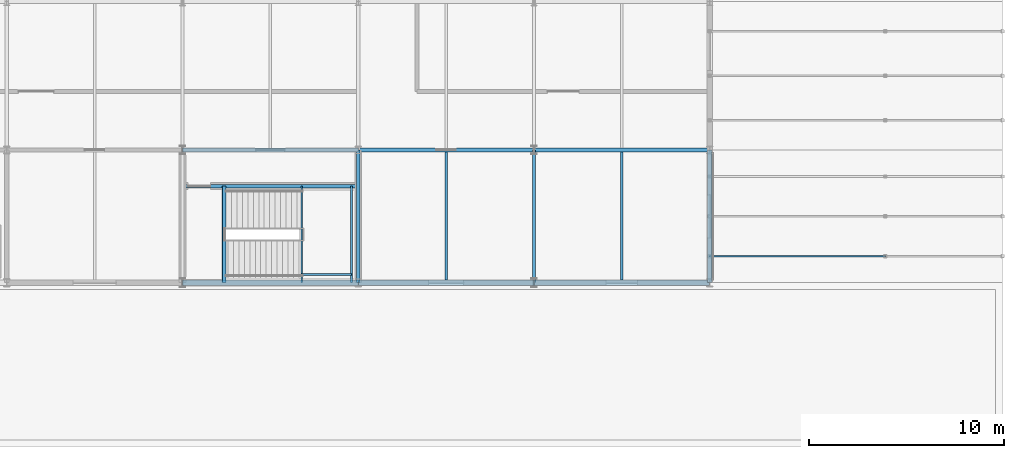
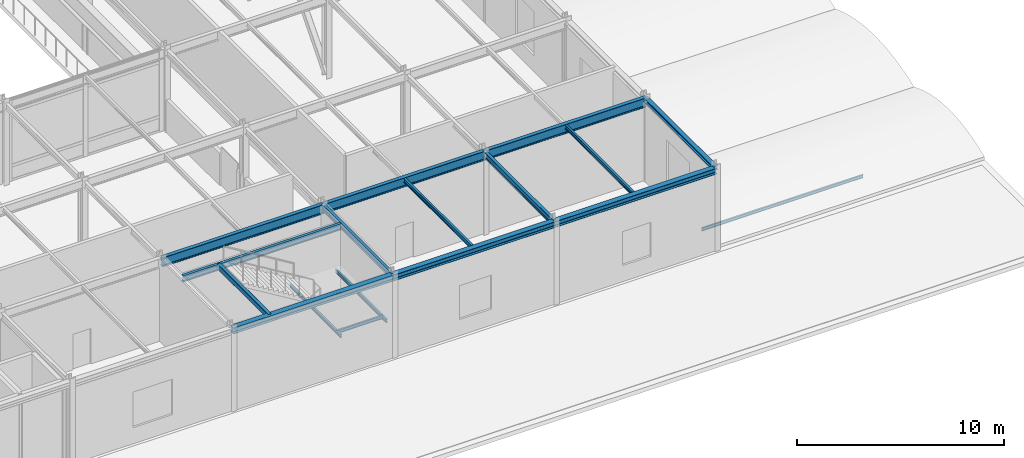
# One storey, part 53 of 113: 16 beams, 1 member.
"""IFC4 building model written with IfcOpenShell, lengths in metres."""

from ifc_helpers import new_model, si_unit, direction, frame, origin, origin_2d, place, context, subcontext, project, spatial, hollow_rectangle, i_section, extrude, material, material_profile, profile_set, type_object, element, save


model = new_model("IFC4")

# Units and contexts
model_context = context("Model", 3, precision=1e-05, world=origin(), true_north=direction((0.0, 1.0)))
body_context = subcontext(model_context, "Body", "Model", "MODEL_VIEW")
ifc_project = project(units=[si_unit("LENGTHUNIT", "METRE"), si_unit("AREAUNIT", "SQUARE_METRE"), si_unit("VOLUMEUNIT", "CUBIC_METRE"), si_unit("PLANEANGLEUNIT", "RADIAN"), si_unit("MASSUNIT", "GRAM", prefix="KILO")], contexts=[model_context])

# Site, building, storey
site_placement = place(None, origin())
site = spatial("IfcSite", under=ifc_project, at=site_placement, CompositionType="ELEMENT")
building_placement = place(site_placement, origin())
building = spatial("IfcBuilding", under=site, at=building_placement, Name="Shalkamar Park Central Library", CompositionType="ELEMENT")
storey_placement = place(building_placement, frame((0.0, 0.0, 5.39990234375)))
storey = spatial("IfcBuildingStorey", under=building, at=storey_placement, Name="L02", CompositionType="ELEMENT", Elevation=5.39990234375)

# Beams
ifc_material = material(Name="Steel S355", Category="steel")
ifc_material_profile_1 = material_profile(ifc_material, i_section(OverallWidth=0.10009765625, OverallDepth=0.199951171875, WebThickness=0.005615234375, FlangeThickness=0.008544921875, FilletRadius=0.011962890625, at=origin_2d()), Name="IPE 200")
ifc_profile_set_1 = profile_set([ifc_material_profile_1], Name="Steel S355")
beam_type_1 = type_object("IfcBeamType", Name="Composite Floor Joist IPE200", PredefinedType="JOIST", material=ifc_profile_set_1)
for number, where, z_axis, x_axis, name in (
    (1, (252.10498046875, 248.39990234375, 2.170166015625), (0.0, 1.0, 0.0), (-1.0, 0.0, 0.0), "Stair Half-Landing Beam ST-P3-L02-1"),
    (2, (254.64501953125, 248.39990234375, 2.170166015625), (0.0, 1.0, 0.0), (-1.0, 0.0, 0.0), "Stair Half-Landing Beam ST-P3-L02-2"),
):
    element("IfcBeam", number, at=place(storey_placement, frame(where, z_axis=z_axis, x_axis=x_axis)), inside=storey, type_object=beam_type_1, Name=name, PredefinedType="JOIST", context=body_context, shape_type="SweptSolid", body=[
        extrude(i_section(OverallWidth=0.10009765625, OverallDepth=0.199951171875, WebThickness=0.005615234375, FlangeThickness=0.008544921875, FilletRadius=0.011962890625, at=origin_2d()), origin(), (0.0, 0.0, 1.0), 4.9501953125),
    ])
beam_1_placement = place(storey_placement, frame((252.10498046875, 248.824951171875, 2.170166015625), z_axis=(1.0, 0.0, 0.0), x_axis=(0.0, 1.0, 0.0)))
element("IfcBeam", 3, at=beam_1_placement, inside=storey, type_object=beam_type_1, Name="Stair Half-Landing Cross Tie ST-P3-L02-3", PredefinedType="JOIST", context=body_context, shape_type="SweptSolid", body=[
    extrude(i_section(OverallWidth=0.10009765625, OverallDepth=0.199951171875, WebThickness=0.005615234375, FlangeThickness=0.008544921875, FilletRadius=0.011962890625, at=origin_2d()), origin(), (0.0, 0.0, 1.0), 2.5400390625),
])
ifc_material_profile_2 = material_profile(ifc_material, i_section(OverallWidth=0.1201171875, OverallDepth=0.239990234375, WebThickness=0.006103515625, FlangeThickness=0.009765625, FilletRadius=0.014892578125, at=origin_2d()), Name="IPE 240")
ifc_profile_set_2 = profile_set([ifc_material_profile_2], Name="Steel S355")
beam_type_2 = type_object("IfcBeamType", Name="Composite Floor Joist IPE240", PredefinedType="JOIST", material=ifc_profile_set_2)
for number, where, z_axis, x_axis, name in (
    (4, (259.5, 248.548095703125, 4.739990234375), (0.0, 1.0, 0.0), (-1.0, 0.0, 0.0), "Composite Joist 18/B-1 (L02)"),
    (5, (268.5, 248.548095703125, 4.739990234375), (0.0, 1.0, 0.0), (-1.0, 0.0, 0.0), "Composite Joist 19/B-1 (L02)"),
):
    element("IfcBeam", number, at=place(storey_placement, frame(where, z_axis=z_axis, x_axis=x_axis)), inside=storey, type_object=beam_type_2, Name=name, PredefinedType="JOIST", context=body_context, shape_type="SweptSolid", body=[
        extrude(i_section(OverallWidth=0.1201171875, OverallDepth=0.239990234375, WebThickness=0.006103515625, FlangeThickness=0.009765625, FilletRadius=0.014892578125, at=origin_2d()), origin(), (0.0, 0.0, 1.0), 6.548828125),
    ])
ifc_material_profile_3 = material_profile(ifc_material, i_section(OverallWidth=0.239990234375, OverallDepth=0.22998046875, WebThickness=0.007568359375, FlangeThickness=0.011962890625, FilletRadius=0.02099609375, at=origin_2d()), Name="HEA 240")
ifc_profile_set_3 = profile_set([ifc_material_profile_3], Name="Steel S355")
beam_type_3 = type_object("IfcBeamType", Name="Perimeter Spandrel Beam HEA240", PredefinedType="SPANDREL", material=ifc_profile_set_3)
beam_2_placement = place(storey_placement, frame((273.0, 248.39990234375, 4.7451171875), z_axis=(0.0, 1.0, 0.0), x_axis=(-1.0, 0.0, 0.0)))
element("IfcBeam", 6, at=beam_2_placement, inside=storey, type_object=beam_type_3, Name="Beam 20:B-C (L02)", PredefinedType="SPANDREL", context=body_context, shape_type="SweptSolid", body=[
    extrude(i_section(OverallWidth=0.239990234375, OverallDepth=0.22998046875, WebThickness=0.007568359375, FlangeThickness=0.011962890625, FilletRadius=0.02099609375, at=origin_2d()), origin(), (0.0, 0.0, 1.0), 6.800048828125),
])
ifc_material_profile_4 = material_profile(ifc_material, i_section(OverallWidth=0.300048828125, OverallDepth=0.35009765625, WebThickness=0.010009765625, FlangeThickness=0.017578125, FilletRadius=0.027099609375, at=origin_2d()), Name="HEA 360")
ifc_profile_set_4 = profile_set([ifc_material_profile_4], Name="Steel S355")
beam_type_4 = type_object("IfcBeamType", Name="Perimeter Spandrel Beam HEA360", PredefinedType="SPANDREL", material=ifc_profile_set_4)
for number, where, z_axis, x_axis, name in (
    (7, (246.0, 248.39990234375, 4.68505859375), (1.0, 0.0, 0.0), (0.0, 1.0, 0.0), "Beam B:17-18 (L02)"),
    (8, (255.0, 248.39990234375, 4.68505859375), (1.0, 0.0, 0.0), (0.0, 1.0, 0.0), "Beam B:18-19 (L02)"),
    (9, (264.0, 248.39990234375, 4.68505859375), (1.0, 0.0, 0.0), (0.0, 1.0, 0.0), "Beam B:19-20 (L02)"),
):
    element("IfcBeam", number, at=place(storey_placement, frame(where, z_axis=z_axis, x_axis=x_axis)), inside=storey, type_object=beam_type_4, Name=name, PredefinedType="SPANDREL", context=body_context, shape_type="SweptSolid", body=[
        extrude(i_section(OverallWidth=0.300048828125, OverallDepth=0.35009765625, WebThickness=0.010009765625, FlangeThickness=0.017578125, FilletRadius=0.027099609375, at=origin_2d()), origin(), (0.0, 0.0, 1.0), 9.0),
    ])
ifc_material_profile_5 = material_profile(ifc_material, i_section(OverallWidth=0.169921875, OverallDepth=0.360107421875, WebThickness=0.008056640625, FlangeThickness=0.0126953125, FilletRadius=0.01806640625, at=origin_2d()), Name="IPE 360")
ifc_profile_set_5 = profile_set([ifc_material_profile_5], Name="Steel S355")
beam_type_5 = type_object("IfcBeamType", Name="Primary Girder IPE360", PredefinedType="BEAM", material=ifc_profile_set_5)
for number, where, z_axis, x_axis, name in (
    (10, (255.0, 248.39990234375, 4.68017578125), (0.0, 1.0, 0.0), (-1.0, 0.0, 0.0), "Beam 18:B-C (L02)"),
    (11, (264.0, 248.39990234375, 4.68017578125), (0.0, 1.0, 0.0), (-1.0, 0.0, 0.0), "Beam 19:B-C (L02)"),
):
    element("IfcBeam", number, at=place(storey_placement, frame(where, z_axis=z_axis, x_axis=x_axis)), inside=storey, type_object=beam_type_5, Name=name, PredefinedType="BEAM", context=body_context, shape_type="SweptSolid", body=[
        extrude(i_section(OverallWidth=0.169921875, OverallDepth=0.360107421875, WebThickness=0.008056640625, FlangeThickness=0.0126953125, FilletRadius=0.01806640625, at=origin_2d()), origin(), (0.0, 0.0, 1.0), 6.800048828125),
    ])
beam_3_placement = place(storey_placement, frame((246.087890625, 253.35009765625, 4.68017578125), z_axis=(1.0, 0.0, 0.0), x_axis=(0.0, 1.0, 0.0)))
element("IfcBeam", 12, at=beam_3_placement, inside=storey, type_object=beam_type_5, Name="CORE-P3 Stairwell Divider Beam (L02)", PredefinedType="BEAM", context=body_context, shape_type="SweptSolid", body=[
    extrude(i_section(OverallWidth=0.169921875, OverallDepth=0.360107421875, WebThickness=0.008056640625, FlangeThickness=0.0126953125, FilletRadius=0.01806640625, at=origin_2d()), origin(), (0.0, 0.0, 1.0), 8.82421875),
])
ifc_material_profile_6 = material_profile(ifc_material, i_section(OverallWidth=0.2099609375, OverallDepth=0.550048828125, WebThickness=0.010986328125, FlangeThickness=0.01708984375, FilletRadius=0.02392578125, at=origin_2d()), Name="IPE 550")
ifc_profile_set_6 = profile_set([ifc_material_profile_6], Name="Steel S355")
beam_type_6 = type_object("IfcBeamType", Name="Primary Girder IPE550", PredefinedType="BEAM", material=ifc_profile_set_6)
for number, where, z_axis, x_axis, name in (
    (13, (246.0, 255.199951171875, 4.585205078125), (1.0, 0.0, 0.0), (0.0, 1.0, 0.0), "Beam C:17-18 (L02)"),
    (14, (255.0, 255.199951171875, 4.585205078125), (1.0, 0.0, 0.0), (0.0, 1.0, 0.0), "Beam C:18-19 (L02)"),
    (15, (264.0, 255.199951171875, 4.585205078125), (1.0, 0.0, 0.0), (0.0, 1.0, 0.0), "Beam C:19-20 (L02)"),
):
    element("IfcBeam", number, at=place(storey_placement, frame(where, z_axis=z_axis, x_axis=x_axis)), inside=storey, type_object=beam_type_6, Name=name, PredefinedType="BEAM", context=body_context, shape_type="SweptSolid", body=[
        extrude(i_section(OverallWidth=0.2099609375, OverallDepth=0.550048828125, WebThickness=0.010986328125, FlangeThickness=0.01708984375, FilletRadius=0.02392578125, at=origin_2d()), origin(), (0.0, 0.0, 1.0), 9.0),
    ])

# Member
ifc_material_profile_7 = material_profile(ifc_material, i_section(OverallWidth=0.091064453125, OverallDepth=0.179931640625, WebThickness=0.00537109375, FlangeThickness=0.008056640625, FilletRadius=0.009033203125, at=origin_2d()), Name="IPE 180")
ifc_profile_set_7 = profile_set([ifc_material_profile_7], Name="Steel S355")
member_type = type_object("IfcMemberType", Name="Roof Purlin IPE180", PredefinedType="PURLIN", material=ifc_profile_set_7)
member_placement = place(storey_placement, frame((273.0, 249.760009765625, 0.330810546875), z_axis=(1.0, 0.0, 0.0), x_axis=(0.0, 1.0, 0.0)))
element("IfcMember", 16, at=member_placement, inside=storey, type_object=member_type, Name="Barrel Roof Purlin BV-L01-E1-1.20", PredefinedType="PURLIN", context=body_context, shape_type="SweptSolid", body=[
    extrude(i_section(OverallWidth=0.091064453125, OverallDepth=0.179931640625, WebThickness=0.00537109375, FlangeThickness=0.008056640625, FilletRadius=0.009033203125, at=origin_2d()), origin(), (0.0, 0.0, 1.0), 9.0),
])

# Beam
ifc_material_profile_8 = material_profile(ifc_material, hollow_rectangle(XDim=0.199951171875, YDim=0.300048828125, WallThickness=0.011962890625, InnerFilletRadius=0.011962890625, OuterFilletRadius=0.01806640625, at=origin_2d()), Name="RHS 300x200x12")
ifc_profile_set_8 = profile_set([ifc_material_profile_8], Name="Steel S355")
beam_type_7 = type_object("IfcBeamType", Name="Stair Trimmer Box RHS300x200", PredefinedType="BEAM", material=ifc_profile_set_8)
beam_4_placement = place(storey_placement, frame((248.125, 248.39990234375, 4.710205078125), z_axis=(0.0, 1.0, 0.0), x_axis=(-1.0, 0.0, 0.0)))
element("IfcBeam", 17, at=beam_4_placement, inside=storey, type_object=beam_type_7, Name="Stair Arrival Trimmer Girder ST-P3-L02", PredefinedType="BEAM", context=body_context, shape_type="SweptSolid", body=[
    extrude(hollow_rectangle(XDim=0.199951171875, YDim=0.300048828125, WallThickness=0.011962890625, InnerFilletRadius=0.011962890625, OuterFilletRadius=0.01806640625, at=origin_2d()), origin(), (0.0, 0.0, 1.0), 4.9501953125),
])

save(model, "model.ifc")
